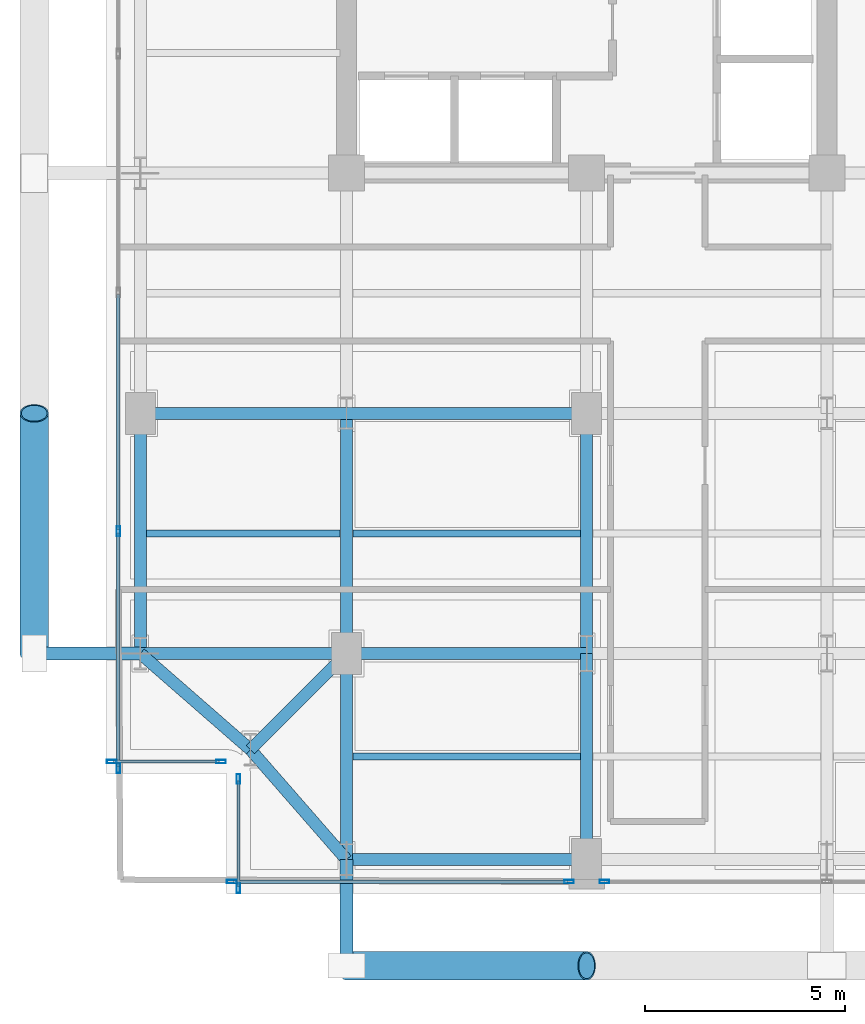
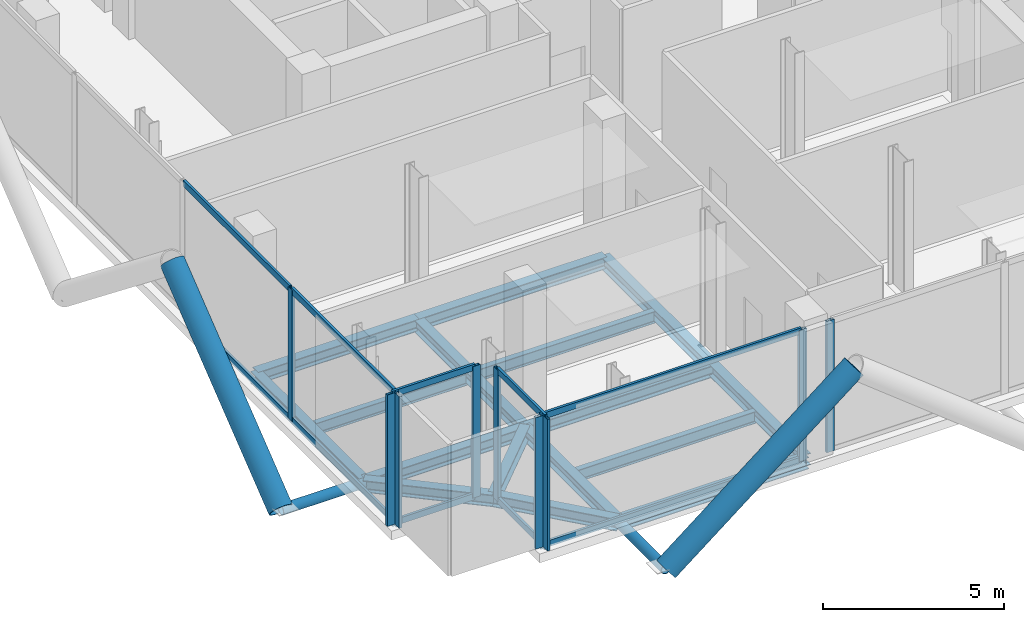
# One storey, part 2 of 19: 23 members, 16 beams, 5 elements without a shape of their own.
"""IFC4 building model written with IfcOpenShell, lengths in metres."""

import ifcopenshell
import ifcopenshell.guid

model = None  # the IFC model being written
_history = None  # IfcOwnerHistory: only IFC2X3 demands one
_inside = {}  # id of a spatial element -> (the spatial element, [elements in it])
_under = {}  # id of a project, library or spatial element -> (it, [spatial elements below it])
_declared = {}  # id of a project -> (the project, [libraries it declares])
_typed = {}  # id of a type object -> (the type object, [elements of that type])
_made_of = {}  # id of a material, layer set ... -> (it, [elements and type objects made of it])


def new_model(schema):
    """Start an empty IFC model of exactly this schema.

    Asked for "IFC4X3", IfcOpenShell would pick the latest addendum, in which some entities
    have other attributes; the version numbers below select the first issue.
    IFC2X3 requires an IfcOwnerHistory on every rooted entity: one is made here for all.
    """
    global model, _history
    if schema == "IFC4X3":
        model = ifcopenshell.file(schema_version=(4, 3, 0, 0))
    else:
        model = ifcopenshell.file(schema=schema)
    _inside.clear()
    _under.clear()
    _declared.clear()
    _typed.clear()
    _made_of.clear()
    _history = None
    if model.schema == "IFC2X3":
        org = make("IfcOrganization", Name="unknown")
        user = make(
            "IfcPersonAndOrganization",
            ThePerson=make("IfcPerson", FamilyName="unknown"),
            TheOrganization=org,
        )
        app = make(
            "IfcApplication",
            ApplicationDeveloper=org,
            Version="unknown",
            ApplicationFullName="unknown",
            ApplicationIdentifier="unknown",
        )
        _history = make(
            "IfcOwnerHistory",
            OwningUser=user,
            OwningApplication=app,
            ChangeAction="ADDED",
            CreationDate=0,
        )
    return model


def make(cls, **values):
    """One entity of the class cls with the attributes given. An attribute that is None is left unset."""
    return model.create_entity(
        cls, **{name: value for name, value in values.items() if value is not None}
    )


def rooted(cls, **values):
    """An entity with a GlobalId (a new one), such as an element, a storey or a relation."""
    return make(cls, GlobalId=ifcopenshell.guid.new(), OwnerHistory=_history, **values)


def si_unit(unit_type, name, prefix=None):
    """IfcSIUnit, for example si_unit("LENGTHUNIT", "METRE", prefix="MILLI")."""
    return make("IfcSIUnit", UnitType=unit_type, Prefix=prefix, Name=name)


def assignment(units):
    """IfcUnitAssignment: the units of a project."""
    return None if units is None else make("IfcUnitAssignment", Units=units)


def point(xyz):
    """IfcCartesianPoint."""
    return None if xyz is None else make("IfcCartesianPoint", Coordinates=xyz)


def direction(xyz):
    """IfcDirection."""
    return None if xyz is None else make("IfcDirection", DirectionRatios=xyz)


def frame(location, z_axis=None, x_axis=None):
    """IfcAxis2Placement3D, a coordinate frame: its origin and axes. An axis left out is left unset."""
    return make(
        "IfcAxis2Placement3D",
        Location=point(location),
        Axis=direction(z_axis),
        RefDirection=direction(x_axis),
    )


def frame_2d(location, x_axis=None):
    """IfcAxis2Placement2D, a coordinate frame in the plane: its origin and x axis."""
    return make(
        "IfcAxis2Placement2D", Location=point(location), RefDirection=direction(x_axis)
    )


def origin():
    """The frame at (0, 0, 0) with its axes left unset."""
    return frame((0.0, 0.0, 0.0))


def origin_2d():
    """The frame at (0, 0) in the plane with its x axis left unset."""
    return frame_2d((0.0, 0.0))


def place(relative_to, where):
    """IfcLocalPlacement: puts the frame where relative to a parent placement (None: the world)."""
    return make(
        "IfcLocalPlacement", PlacementRelTo=relative_to, RelativePlacement=where
    )


def context(
    kind, dimensions, precision=None, world=None, true_north=None, identifier=None
):
    """IfcGeometricRepresentationContext, for example the 3D "Model" context."""
    return make(
        "IfcGeometricRepresentationContext",
        ContextIdentifier=identifier,
        ContextType=kind,
        CoordinateSpaceDimension=dimensions,
        Precision=precision,
        WorldCoordinateSystem=world,
        TrueNorth=true_north,
    )


def subcontext(parent, identifier, kind, view, scale=None):
    """IfcGeometricRepresentationSubContext, for example "Body" below "Model"."""
    return make(
        "IfcGeometricRepresentationSubContext",
        ContextIdentifier=identifier,
        ContextType=kind,
        ParentContext=parent,
        TargetScale=scale,
        TargetView=view,
    )


def project(units=None, contexts=None):
    """IfcProject with its units and contexts."""
    return rooted(
        "IfcProject",
        Name="project",
        RepresentationContexts=contexts,
        UnitsInContext=assignment(units),
    )


def spatial(cls, under=None, at=None, **own):
    """A site, building, storey or space (cls), placed at a placement, below another one or the project."""
    s = rooted(cls, ObjectPlacement=at, **own)
    if under is not None:
        _under.setdefault(under.id(), (under, []))[1].append(s)
    return s


def profile(cls, at=None, kind="AREA", **sizes):
    """A parametric profile (cls). Its sizes go by their IFC names, for example OverallWidth=200.0."""
    return make(cls, ProfileType=kind, Position=at, **sizes)


def hollow_rectangle(**sizes):
    """IfcRectangleHollowProfileDef."""
    return profile("IfcRectangleHollowProfileDef", **sizes)


def hollow_circle(**sizes):
    """IfcCircleHollowProfileDef."""
    return profile("IfcCircleHollowProfileDef", **sizes)


def i_section(**sizes):
    """IfcIShapeProfileDef."""
    return profile("IfcIShapeProfileDef", **sizes)


def extrude(swept, where, along, depth):
    """IfcExtrudedAreaSolid: the profile swept, set in the frame where, extruded along a direction by depth."""
    return make(
        "IfcExtrudedAreaSolid",
        SweptArea=swept,
        Position=where,
        ExtrudedDirection=direction(along),
        Depth=depth,
    )


def shape(context_of_items, identifier, shape_type, items):
    """IfcShapeRepresentation: the items that make up one representation, for example the "Body"."""
    return make(
        "IfcShapeRepresentation",
        ContextOfItems=context_of_items,
        RepresentationIdentifier=identifier,
        RepresentationType=shape_type,
        Items=items,
    )


def material(Name=None, Category=None):
    """IfcMaterial."""
    return make("IfcMaterial", Name=Name, Category=Category)


def layer(
    of_material, thickness, ventilated=None, Name=None, Category=None, Priority=None
):
    """IfcMaterialLayer: one layer of a wall or slab, of a material (None: an air gap)."""
    return make(
        "IfcMaterialLayer",
        Material=of_material,
        LayerThickness=thickness,
        IsVentilated=ventilated,
        Name=Name,
        Category=Category,
        Priority=Priority,
    )


def layer_set(layers, Name=None):
    """IfcMaterialLayerSet."""
    return make("IfcMaterialLayerSet", MaterialLayers=layers, LayerSetName=Name)


def material_profile(
    of_material, cross_section, Name=None, Category=None, Priority=None
):
    """IfcMaterialProfile: a cross section and its material."""
    return make(
        "IfcMaterialProfile",
        Name=Name,
        Material=of_material,
        Profile=cross_section,
        Priority=Priority,
        Category=Category,
    )


def profile_set(profiles, Name=None, composite=None):
    """IfcMaterialProfileSet."""
    return make(
        "IfcMaterialProfileSet",
        Name=Name,
        MaterialProfiles=profiles,
        CompositeProfile=composite,
    )


def made_of(thing, what):
    """Note that an element or type object is made of a material, layer set ...; save() writes the relation."""
    if what is not None:
        _made_of.setdefault(what.id(), (what, []))[1].append(thing)
    return thing


def type_object(cls, material=None, **own):
    """A type object (cls), such as IfcWallType, which elements share."""
    return made_of(rooted(cls, **own), material)


def element(
    cls,
    number,
    at=None,
    inside=None,
    cuts=None,
    type_object=None,
    material=None,
    context=None,
    identifier="Body",
    shape_type=None,
    held_by="IfcProductDefinitionShape",
    body=None,
    shapes=None,
    **own,
):
    """One element of the class cls, such as IfcWall. Its Tag is "e" and its number.

    at: its placement. inside: the storey or other place that contains it. cuts: it is an
    opening in that element (IfcRelVoidsElement). A single representation is given by context,
    identifier, shape_type and body (its items); several are given by shapes. held_by: the class
    of the entity that holds the representations. save() writes the other relations.
    """
    e = rooted(cls, Tag="e%d" % number, ObjectPlacement=at, **own)
    if body is not None:
        shapes = [shape(context, identifier, shape_type, body)]
    if shapes is not None:
        e.Representation = make(held_by, Representations=shapes)
    if inside is not None:
        _inside.setdefault(inside.id(), (inside, []))[1].append(e)
    if cuts is not None:
        rooted(
            "IfcRelVoidsElement", RelatingBuildingElement=cuts, RelatedOpeningElement=e
        )
    if type_object is not None:
        _typed.setdefault(type_object.id(), (type_object, []))[1].append(e)
    return made_of(e, material)


def aggregate(whole, parts):
    """IfcRelAggregates: a whole, such as a stair, and the parts it consists of."""
    return rooted("IfcRelAggregates", RelatingObject=whole, RelatedObjects=parts)


def save(model, path):
    """Write the relations noted so far, then the file.

    IfcRelAggregates (storeys below a building ...), IfcRelContainedInSpatialStructure (elements
    in a storey), IfcRelDefinesByType, IfcRelAssociatesMaterial and IfcRelDeclares: one each for
    every whole, place, type object, material and project.
    """
    for whole, parts in _under.values():
        aggregate(whole, parts)
    for where, things in _inside.values():
        rooted(
            "IfcRelContainedInSpatialStructure",
            RelatedElements=things,
            RelatingStructure=where,
        )
    for kind, things in _typed.values():
        rooted("IfcRelDefinesByType", RelatedObjects=things, RelatingType=kind)
    for what, things in _made_of.values():
        rooted("IfcRelAssociatesMaterial", RelatedObjects=things, RelatingMaterial=what)
    for by, libraries in _declared.values():
        rooted("IfcRelDeclares", RelatingContext=by, RelatedDefinitions=libraries)
    model.write(path)


model = new_model("IFC4")

# Units and contexts
model_context = context("Model", 3, precision=1e-05, world=origin(), true_north=direction((0.0, 1.0)))
body_context = subcontext(model_context, "Body", "Model", "MODEL_VIEW")
ifc_project = project(units=[si_unit("LENGTHUNIT", "METRE"), si_unit("AREAUNIT", "SQUARE_METRE"), si_unit("VOLUMEUNIT", "CUBIC_METRE"), si_unit("PLANEANGLEUNIT", "RADIAN"), si_unit("MASSUNIT", "GRAM", prefix="KILO"), si_unit("THERMODYNAMICTEMPERATUREUNIT", "KELVIN"), si_unit("POWERUNIT", "WATT")], contexts=[model_context])

# Site, building, storey
site_placement = place(None, origin())
site = spatial("IfcSite", under=ifc_project, at=site_placement, CompositionType="ELEMENT")
building_placement = place(site_placement, origin())
building = spatial("IfcBuilding", under=site, at=building_placement, Name="Svarakhadi Broadcast Tower", CompositionType="ELEMENT")
storey_placement = place(building_placement, frame((0.0, 0.0, 204.0)))
storey = spatial("IfcBuildingStorey", under=building, at=storey_placement, Name="L50", CompositionType="ELEMENT", Elevation=204.0)

# Beams
ifc_material_1 = material(Name="Steel S355J2 (IS 2062 E350C)", Category="steel")
ifc_material_profile_1 = material_profile(ifc_material_1, i_section(OverallWidth=0.179931640625, OverallDepth=0.39990234375, WebThickness=0.008544921875, FlangeThickness=0.013427734375, FilletRadius=0.02099609375, at=origin_2d()), Name="NPB 400x180x66")
ifc_profile_set_1 = profile_set([ifc_material_profile_1], Name="Steel S355J2 (IS 2062 E350C)")
beam_type_1 = type_object("IfcBeamType", Name="Beam_NPB400", PredefinedType="BEAM", material=ifc_profile_set_1)
beam_1_placement = place(storey_placement, frame((1.010009765625, 9.0, -0.5), z_axis=(1.0, 0.0, 0.0), x_axis=(0.0, 1.0, 0.0)))
element("IfcBeam", 1, at=beam_1_placement, inside=storey, type_object=beam_type_1, Name="L50 Secondary Composite Beam SB001", PredefinedType="BEAM", context=body_context, shape_type="SweptSolid", body=[
    extrude(i_section(OverallWidth=0.179931640625, OverallDepth=0.39990234375, WebThickness=0.008544921875, FlangeThickness=0.013427734375, FilletRadius=0.02099609375, at=origin_2d()), origin(), (0.0, 0.0, 1.0), 4.830078125),
])
for number, where, z_axis, x_axis, name in (
    (2, (6.159912109375, 3.425048828125, -0.5), (1.0, 0.0, 0.0), (0.0, 1.0, 0.0), "L50 Secondary Composite Beam SB005"),
    (3, (6.159912109375, 9.0, -0.5), (1.0, 0.0, 0.0), (0.0, 1.0, 0.0), "L50 Secondary Composite Beam SB006"),
):
    element("IfcBeam", number, at=place(storey_placement, frame(where, z_axis=z_axis, x_axis=x_axis)), inside=storey, type_object=beam_type_1, Name=name, PredefinedType="BEAM", context=body_context, shape_type="SweptSolid", body=[
        extrude(i_section(OverallWidth=0.179931640625, OverallDepth=0.39990234375, WebThickness=0.008544921875, FlangeThickness=0.013427734375, FilletRadius=0.02099609375, at=origin_2d()), origin(), (0.0, 0.0, 1.0), 5.68017578125),
    ])

# Curtain wall, members
ifc_material_2 = material(Name="Anodised Bronze Aluminium AA 6063-T6", Category="aluminium")
ifc_layer = layer(ifc_material_2, 0.239990234375)
ifc_layer_set = layer_set([ifc_layer], Name="Anodised Bronze Aluminium AA 6063-T6")
curtain_wall_type = type_object("IfcCurtainWallType", Name="CW_Sys_06", PredefinedType="NOTDEFINED", material=ifc_layer_set)
curtain_wall_1_placement = place(storey_placement, origin())
curtain_wall_1 = element("IfcCurtainWall", 4, at=curtain_wall_1_placement, inside=storey, type_object=curtain_wall_type, Name="L50 Unitised Facade Curtain Wall 01", PredefinedType="NOTDEFINED")
ifc_material_profile_2 = material_profile(ifc_material_2, hollow_rectangle(XDim=0.090087890625, YDim=0.239990234375, WallThickness=0.006103515625, at=origin_2d()), Name="ALU MULLION 240x90x6")
ifc_profile_set_2 = profile_set([ifc_material_profile_2], Name="Anodised Bronze Aluminium AA 6063-T6")
member_type_1 = type_object("IfcMemberType", Name="CW_Sys_06_Mul", PredefinedType="MULLION", material=ifc_profile_set_2)
member_1_placement = place(storey_placement, frame((2.864990234375, 3.300048828125, 0.0), z_axis=(0.0, 0.0, 1.0), x_axis=(0.0, -1.0, 0.0)))
member_1 = element("IfcMember", 5, at=member_1_placement, type_object=member_type_1, Name="CW-06 mullion 1", PredefinedType="MULLION", context=body_context, shape_type="SweptSolid", body=[
    extrude(hollow_rectangle(XDim=0.090087890625, YDim=0.239990234375, WallThickness=0.006103515625, at=origin_2d()), origin(), (0.0, 0.0, 1.0), 4.43994140625),
])
member_2_placement = place(storey_placement, frame((0.135009765625, 3.300048828125, 0.0), z_axis=(0.0, 0.0, 1.0), x_axis=(0.0, -1.0, 0.0)))
member_2 = element("IfcMember", 6, at=member_2_placement, type_object=member_type_1, Name="CW-06 mullion 2", PredefinedType="MULLION", context=body_context, shape_type="SweptSolid", body=[
    extrude(hollow_rectangle(XDim=0.090087890625, YDim=0.239990234375, WallThickness=0.006103515625, at=origin_2d()), origin(), (0.0, 0.0, 1.0), 4.43994140625),
])

curtain_wall_2_placement = place(storey_placement, origin())
curtain_wall_2 = element("IfcCurtainWall", 7, at=curtain_wall_2_placement, inside=storey, type_object=curtain_wall_type, Name="L50 Unitised Facade Curtain Wall 02", PredefinedType="NOTDEFINED")
member_3_placement = place(storey_placement, frame((0.300048828125, 3.135009765625, 0.0), z_axis=(0.0, 0.0, 1.0), x_axis=(-1.0, 0.0, 0.0)))
member_3 = element("IfcMember", 8, at=member_3_placement, type_object=member_type_1, Name="CW-06 mullion 1", PredefinedType="MULLION", context=body_context, shape_type="SweptSolid", body=[
    extrude(hollow_rectangle(XDim=0.090087890625, YDim=0.239990234375, WallThickness=0.006103515625, at=origin_2d()), origin(), (0.0, 0.0, 1.0), 4.43994140625),
])
member_4_placement = place(storey_placement, frame((0.300048828125, 9.053955078125, 0.0), z_axis=(0.0, 0.0, 1.0), x_axis=(-1.0, 0.0, 0.0)))
member_4 = element("IfcMember", 9, at=member_4_placement, type_object=member_type_1, Name="CW-06 mullion 2", PredefinedType="MULLION", context=body_context, shape_type="SweptSolid", body=[
    extrude(hollow_rectangle(XDim=0.090087890625, YDim=0.239990234375, WallThickness=0.006103515625, at=origin_2d()), origin(), (0.0, 0.0, 1.0), 4.43994140625),
])

# Curtain wall, member
curtain_wall_3_placement = place(storey_placement, origin())
curtain_wall_3 = element("IfcCurtainWall", 10, at=curtain_wall_3_placement, inside=storey, type_object=curtain_wall_type, Name="L50 South Curtain Wall 14 Bay 4", PredefinedType="NOTDEFINED")
member_5_placement = place(storey_placement, frame((12.43994140625, 0.300048828125, 0.0), z_axis=(0.0, 0.0, 1.0), x_axis=(0.0, -1.0, 0.0)))
member_5 = element("IfcMember", 11, at=member_5_placement, type_object=member_type_1, Name="CW-06 mullion 3", PredefinedType="MULLION", context=body_context, shape_type="SweptSolid", body=[
    extrude(hollow_rectangle(XDim=0.090087890625, YDim=0.239990234375, WallThickness=0.006103515625, at=origin_2d()), origin(), (0.0, 0.0, 1.0), 4.43994140625),
])
aggregate(curtain_wall_3, [member_5])

# Curtain wall, members
curtain_wall_4_placement = place(storey_placement, origin())
curtain_wall_4 = element("IfcCurtainWall", 12, at=curtain_wall_4_placement, inside=storey, type_object=curtain_wall_type, Name="L50 South Curtain Wall 14 Bay 5", PredefinedType="NOTDEFINED")
member_6_placement = place(storey_placement, frame((11.56005859375, 0.300048828125, 0.0), z_axis=(0.0, 0.0, 1.0), x_axis=(0.0, -1.0, 0.0)))
member_6 = element("IfcMember", 13, at=member_6_placement, type_object=member_type_1, Name="CW-06 mullion 1", PredefinedType="MULLION", context=body_context, shape_type="SweptSolid", body=[
    extrude(hollow_rectangle(XDim=0.090087890625, YDim=0.239990234375, WallThickness=0.006103515625, at=origin_2d()), origin(), (0.0, 0.0, 1.0), 4.43994140625),
])
member_7_placement = place(storey_placement, frame((3.135009765625, 0.300048828125, 0.0), z_axis=(0.0, 0.0, 1.0), x_axis=(0.0, -1.0, 0.0)))
member_7 = element("IfcMember", 14, at=member_7_placement, type_object=member_type_1, Name="CW-06 mullion 2", PredefinedType="MULLION", context=body_context, shape_type="SweptSolid", body=[
    extrude(hollow_rectangle(XDim=0.090087890625, YDim=0.239990234375, WallThickness=0.006103515625, at=origin_2d()), origin(), (0.0, 0.0, 1.0), 4.43994140625),
])

curtain_wall_5_placement = place(storey_placement, origin())
curtain_wall_5 = element("IfcCurtainWall", 15, at=curtain_wall_5_placement, inside=storey, type_object=curtain_wall_type, Name="L50 Unitised Facade Curtain Wall 15", PredefinedType="NOTDEFINED")
member_8_placement = place(storey_placement, frame((3.300048828125, 0.135009765625, 0.0), z_axis=(0.0, 0.0, 1.0), x_axis=(-1.0, 0.0, 0.0)))
member_8 = element("IfcMember", 16, at=member_8_placement, type_object=member_type_1, Name="CW-06 mullion 1", PredefinedType="MULLION", context=body_context, shape_type="SweptSolid", body=[
    extrude(hollow_rectangle(XDim=0.090087890625, YDim=0.239990234375, WallThickness=0.006103515625, at=origin_2d()), origin(), (0.0, 0.0, 1.0), 4.43994140625),
])
member_9_placement = place(storey_placement, frame((3.300048828125, 2.864990234375, 0.0), z_axis=(0.0, 0.0, 1.0), x_axis=(-1.0, 0.0, 0.0)))
member_9 = element("IfcMember", 17, at=member_9_placement, type_object=member_type_1, Name="CW-06 mullion 2", PredefinedType="MULLION", context=body_context, shape_type="SweptSolid", body=[
    extrude(hollow_rectangle(XDim=0.090087890625, YDim=0.239990234375, WallThickness=0.006103515625, at=origin_2d()), origin(), (0.0, 0.0, 1.0), 4.43994140625),
])

# Member
ifc_material_profile_3 = material_profile(ifc_material_2, hollow_rectangle(XDim=0.080078125, YDim=0.2099609375, WallThickness=0.0048828125, at=origin_2d()), Name="ALU TRANSOM 210x80x5")
ifc_profile_set_3 = profile_set([ifc_material_profile_3], Name="Anodised Bronze Aluminium AA 6063-T6")
member_type_2 = type_object("IfcMemberType", Name="CW_Sys_06_Trn", PredefinedType="USERDEFINED", material=ifc_profile_set_3)
member_10_placement = place(storey_placement, frame((2.820068359375, 3.300048828125, 0.0400390625), z_axis=(-1.0, 0.0, 0.0), x_axis=(0.0, -1.0, 0.0)))
member_10 = element("IfcMember", 18, at=member_10_placement, type_object=member_type_2, Name="CW-06 transom 1.1", ObjectType="TRANSOM", PredefinedType="USERDEFINED", context=body_context, shape_type="SweptSolid", body=[
    extrude(hollow_rectangle(XDim=0.080078125, YDim=0.2099609375, WallThickness=0.0048828125, at=origin_2d()), origin(), (0.0, 0.0, 1.0), 2.64013671875),
])

member_11_placement = place(storey_placement, frame((2.820068359375, 3.300048828125, 4.39990234375), z_axis=(-1.0, 0.0, 0.0), x_axis=(0.0, -1.0, 0.0)))
member_11 = element("IfcMember", 19, at=member_11_placement, type_object=member_type_2, Name="CW-06 transom 1.2", ObjectType="TRANSOM", PredefinedType="USERDEFINED", context=body_context, shape_type="SweptSolid", body=[
    extrude(hollow_rectangle(XDim=0.080078125, YDim=0.2099609375, WallThickness=0.0048828125, at=origin_2d()), origin(), (0.0, 0.0, 1.0), 2.64013671875),
])

aggregate(curtain_wall_1, [member_1, member_2, member_10, member_11])

member_12_placement = place(storey_placement, frame((0.300048828125, 3.179931640625, 0.0400390625), z_axis=(0.0, 1.0, 0.0), x_axis=(-1.0, 0.0, 0.0)))
member_12 = element("IfcMember", 20, at=member_12_placement, type_object=member_type_2, Name="CW-06 transom 1.1", ObjectType="TRANSOM", PredefinedType="USERDEFINED", context=body_context, shape_type="SweptSolid", body=[
    extrude(hollow_rectangle(XDim=0.080078125, YDim=0.2099609375, WallThickness=0.0048828125, at=origin_2d()), origin(), (0.0, 0.0, 1.0), 5.8291015625),
])

member_13_placement = place(storey_placement, frame((0.300048828125, 3.179931640625, 4.39990234375), z_axis=(0.0, 1.0, 0.0), x_axis=(-1.0, 0.0, 0.0)))
member_13 = element("IfcMember", 21, at=member_13_placement, type_object=member_type_2, Name="CW-06 transom 1.2", ObjectType="TRANSOM", PredefinedType="USERDEFINED", context=body_context, shape_type="SweptSolid", body=[
    extrude(hollow_rectangle(XDim=0.080078125, YDim=0.2099609375, WallThickness=0.0048828125, at=origin_2d()), origin(), (0.0, 0.0, 1.0), 5.8291015625),
])

member_14_placement = place(storey_placement, frame((0.300048828125, 9.09912109375, 0.0400390625), z_axis=(0.0, 1.0, 0.0), x_axis=(-1.0, 0.0, 0.0)))
member_14 = element("IfcMember", 22, at=member_14_placement, type_object=member_type_2, Name="CW-06 transom 2.1", ObjectType="TRANSOM", PredefinedType="USERDEFINED", context=body_context, shape_type="SweptSolid", body=[
    extrude(hollow_rectangle(XDim=0.080078125, YDim=0.2099609375, WallThickness=0.0048828125, at=origin_2d()), origin(), (0.0, 0.0, 1.0), 5.873779296875),
])

member_15_placement = place(storey_placement, frame((0.300048828125, 9.09912109375, 4.39990234375), z_axis=(0.0, 1.0, 0.0), x_axis=(-1.0, 0.0, 0.0)))
member_15 = element("IfcMember", 23, at=member_15_placement, type_object=member_type_2, Name="CW-06 transom 2.2", ObjectType="TRANSOM", PredefinedType="USERDEFINED", context=body_context, shape_type="SweptSolid", body=[
    extrude(hollow_rectangle(XDim=0.080078125, YDim=0.2099609375, WallThickness=0.0048828125, at=origin_2d()), origin(), (0.0, 0.0, 1.0), 5.873779296875),
])

aggregate(curtain_wall_2, [member_3, member_4, member_12, member_13, member_14, member_15])

member_16_placement = place(storey_placement, frame((11.514892578125, 0.300048828125, 0.0400390625), z_axis=(-1.0, 0.0, 0.0), x_axis=(0.0, -1.0, 0.0)))
member_16 = element("IfcMember", 24, at=member_16_placement, type_object=member_type_2, Name="CW-06 transom 1.1", ObjectType="TRANSOM", PredefinedType="USERDEFINED", context=body_context, shape_type="SweptSolid", body=[
    extrude(hollow_rectangle(XDim=0.080078125, YDim=0.2099609375, WallThickness=0.0048828125, at=origin_2d()), origin(), (0.0, 0.0, 1.0), 8.3349609375),
])

member_17_placement = place(storey_placement, frame((11.514892578125, 0.300048828125, 4.39990234375), z_axis=(-1.0, 0.0, 0.0), x_axis=(0.0, -1.0, 0.0)))
member_17 = element("IfcMember", 25, at=member_17_placement, type_object=member_type_2, Name="CW-06 transom 1.2", ObjectType="TRANSOM", PredefinedType="USERDEFINED", context=body_context, shape_type="SweptSolid", body=[
    extrude(hollow_rectangle(XDim=0.080078125, YDim=0.2099609375, WallThickness=0.0048828125, at=origin_2d()), origin(), (0.0, 0.0, 1.0), 8.3349609375),
])

aggregate(curtain_wall_4, [member_6, member_7, member_16, member_17])

member_18_placement = place(storey_placement, frame((3.300048828125, 0.179931640625, 0.0400390625), z_axis=(0.0, 1.0, 0.0), x_axis=(-1.0, 0.0, 0.0)))
member_18 = element("IfcMember", 26, at=member_18_placement, type_object=member_type_2, Name="CW-06 transom 1.1", ObjectType="TRANSOM", PredefinedType="USERDEFINED", context=body_context, shape_type="SweptSolid", body=[
    extrude(hollow_rectangle(XDim=0.080078125, YDim=0.2099609375, WallThickness=0.0048828125, at=origin_2d()), origin(), (0.0, 0.0, 1.0), 2.64013671875),
])

member_19_placement = place(storey_placement, frame((3.300048828125, 0.179931640625, 4.39990234375), z_axis=(0.0, 1.0, 0.0), x_axis=(-1.0, 0.0, 0.0)))
member_19 = element("IfcMember", 27, at=member_19_placement, type_object=member_type_2, Name="CW-06 transom 1.2", ObjectType="TRANSOM", PredefinedType="USERDEFINED", context=body_context, shape_type="SweptSolid", body=[
    extrude(hollow_rectangle(XDim=0.080078125, YDim=0.2099609375, WallThickness=0.0048828125, at=origin_2d()), origin(), (0.0, 0.0, 1.0), 2.64013671875),
])

aggregate(curtain_wall_5, [member_8, member_9, member_18, member_19])

# Members
ifc_material_3 = material(Name="Steel S460ML (IS 2062 E450BR)", Category="steel")
ifc_material_profile_4 = material_profile(ifc_material_3, hollow_circle(Radius=0.35546875, WallThickness=0.034912109375, at=origin_2d()), Name="CHS 711x35")
ifc_profile_set_4 = profile_set([ifc_material_profile_4], Name="Steel S460ML (IS 2062 E450BR)")
member_type_3 = type_object("IfcMemberType", Name="Exo_Brace_CHS711", PredefinedType="BRACE", material=ifc_profile_set_4)
for number, where, z_axis, x_axis, name in (
    (28, (6.0, -1.800048828125, -0.4619140625), (0.784682488402, 0.0, 0.619897888685), (0.0, 1.0, 0.0), "L50 Exposed Bronze Exoskeleton Diagonal S01"),
    (29, (-1.800048828125, 6.0, -0.4619140625), (0.0, 0.784682488402, 0.619897888685), (-1.0, 0.0, 0.0), "L50 Exposed Bronze Exoskeleton Diagonal W06"),
):
    element("IfcMember", number, at=place(storey_placement, frame(where, z_axis=z_axis, x_axis=x_axis)), inside=storey, type_object=member_type_3, Name=name, PredefinedType="BRACE", context=body_context, shape_type="SweptSolid", body=[
        extrude(hollow_circle(Radius=0.35546875, WallThickness=0.034912109375, at=origin_2d()), origin(), (0.0, 0.0, 1.0), 7.646484375),
    ])
ifc_material_profile_5 = material_profile(ifc_material_3, hollow_circle(Radius=0.161865234375, WallThickness=0.01611328125, at=origin_2d()), Name="CHS 323.9x16")
ifc_profile_set_5 = profile_set([ifc_material_profile_5], Name="Steel S460ML (IS 2062 E450BR)")
member_type_4 = type_object("IfcMemberType", Name="Exo_Radial_Strut_Z2", PredefinedType="STRUT", material=ifc_profile_set_5)
for number, where, z_axis, x_axis, name in (
    (30, (6.0, -1.800048828125, -0.4619140625), (0.0, 1.0, 0.0), (-1.0, 0.0, 0.0), "L50 Exoskeleton Radial Tie Strut S01"),
    (31, (-1.800048828125, 6.0, -0.4619140625), (1.0, 0.0, 0.0), (0.0, 1.0, 0.0), "L50 Exoskeleton Radial Tie Strut W04"),
):
    element("IfcMember", number, at=place(storey_placement, frame(where, z_axis=z_axis, x_axis=x_axis)), inside=storey, type_object=member_type_4, Name=name, PredefinedType="STRUT", context=body_context, shape_type="SweptSolid", body=[
        extrude(hollow_circle(Radius=0.161865234375, WallThickness=0.01611328125, at=origin_2d()), origin(), (0.0, 0.0, 1.0), 2.650146484375),
    ])

# Beams
ifc_material_profile_6 = material_profile(ifc_material_1, i_section(OverallWidth=0.300048828125, OverallDepth=0.39990234375, WebThickness=0.013427734375, FlangeThickness=0.02392578125, FilletRadius=0.027099609375, at=origin_2d()), Name="WPB 400x300x155")
ifc_profile_set_6 = profile_set([ifc_material_profile_6], Name="Steel S355J2 (IS 2062 E350C)")
beam_type_2 = type_object("IfcBeamType", Name="Girder_WPB400", PredefinedType="USERDEFINED", material=ifc_profile_set_6)
beam_2_placement = place(storey_placement, frame((3.60009765625, 3.60009765625, -0.5), z_axis=(0.707106781187, 0.707106781187, 0.0), x_axis=(-0.707106781187, 0.707106781187, 0.0)))
element("IfcBeam", 32, at=beam_2_placement, inside=storey, type_object=beam_type_2, Name="L50 Corner Tie Girder G001", ObjectType="GIRDER", PredefinedType="USERDEFINED", context=body_context, shape_type="SweptSolid", body=[
    extrude(i_section(OverallWidth=0.300048828125, OverallDepth=0.39990234375, WebThickness=0.013427734375, FlangeThickness=0.02392578125, FilletRadius=0.027099609375, at=origin_2d()), origin(), (0.0, 0.0, 1.0), 3.39404296875),
])
for number, where, z_axis, x_axis, name in (
    (33, (3.60009765625, 3.60009765625, -0.5), (-0.753437912176, 0.657519058655, 0.0), (-0.657519058655, -0.753437912176, 0.0), "L50 Corner Tie Girder G002"),
    (34, (3.60009765625, 3.60009765625, -0.5), (0.657519058655, -0.753437912176, 0.0), (0.753437912176, 0.657519058655, 0.0), "L50 Corner Tie Girder G003"),
):
    element("IfcBeam", number, at=place(storey_placement, frame(where, z_axis=z_axis, x_axis=x_axis)), inside=storey, type_object=beam_type_2, Name=name, ObjectType="GIRDER", PredefinedType="USERDEFINED", context=body_context, shape_type="SweptSolid", body=[
        extrude(i_section(OverallWidth=0.300048828125, OverallDepth=0.39990234375, WebThickness=0.013427734375, FlangeThickness=0.02392578125, FilletRadius=0.027099609375, at=origin_2d()), origin(), (0.0, 0.0, 1.0), 3.64990234375),
    ])
beam_3_placement = place(storey_placement, frame((6.0, 0.85009765625, -0.5), z_axis=(1.0, 0.0, 0.0), x_axis=(0.0, 1.0, 0.0)))
element("IfcBeam", 35, at=beam_3_placement, inside=storey, type_object=beam_type_2, Name="L50 Primary E-W Girder G004", ObjectType="GIRDER", PredefinedType="USERDEFINED", context=body_context, shape_type="SweptSolid", body=[
    extrude(i_section(OverallWidth=0.300048828125, OverallDepth=0.39990234375, WebThickness=0.013427734375, FlangeThickness=0.02392578125, FilletRadius=0.027099609375, at=origin_2d()), origin(), (0.0, 0.0, 1.0), 6.0),
])
beam_4_placement = place(storey_placement, frame((0.85009765625, 6.0, -0.5), z_axis=(1.0, 0.0, 0.0), x_axis=(0.0, 1.0, 0.0)))
element("IfcBeam", 36, at=beam_4_placement, inside=storey, type_object=beam_type_2, Name="L50 Primary E-W Girder G009", ObjectType="GIRDER", PredefinedType="USERDEFINED", context=body_context, shape_type="SweptSolid", body=[
    extrude(i_section(OverallWidth=0.300048828125, OverallDepth=0.39990234375, WebThickness=0.013427734375, FlangeThickness=0.02392578125, FilletRadius=0.027099609375, at=origin_2d()), origin(), (0.0, 0.0, 1.0), 5.14990234375),
])
beam_5_placement = place(storey_placement, frame((6.0, 6.0, -0.5), z_axis=(1.0, 0.0, 0.0), x_axis=(0.0, 1.0, 0.0)))
element("IfcBeam", 37, at=beam_5_placement, inside=storey, type_object=beam_type_2, Name="L50 Primary E-W Girder G010", ObjectType="GIRDER", PredefinedType="USERDEFINED", context=body_context, shape_type="SweptSolid", body=[
    extrude(i_section(OverallWidth=0.300048828125, OverallDepth=0.39990234375, WebThickness=0.013427734375, FlangeThickness=0.02392578125, FilletRadius=0.027099609375, at=origin_2d()), origin(), (0.0, 0.0, 1.0), 6.0),
])
beam_6_placement = place(storey_placement, frame((0.85009765625, 12.0, -0.5), z_axis=(1.0, 0.0, 0.0), x_axis=(0.0, 1.0, 0.0)))
element("IfcBeam", 38, at=beam_6_placement, inside=storey, type_object=beam_type_2, Name="L50 Primary E-W Girder G015", ObjectType="GIRDER", PredefinedType="USERDEFINED", context=body_context, shape_type="SweptSolid", body=[
    extrude(i_section(OverallWidth=0.300048828125, OverallDepth=0.39990234375, WebThickness=0.013427734375, FlangeThickness=0.02392578125, FilletRadius=0.027099609375, at=origin_2d()), origin(), (0.0, 0.0, 1.0), 5.14990234375),
])
for number, where, z_axis, x_axis, name in (
    (39, (6.0, 12.0, -0.5), (1.0, 0.0, 0.0), (0.0, 1.0, 0.0), "L50 Primary E-W Girder G016"),
    (40, (0.85009765625, 6.0, -0.5), (0.0, 1.0, 0.0), (-1.0, 0.0, 0.0), "L50 Primary N-S Girder G033"),
):
    element("IfcBeam", number, at=place(storey_placement, frame(where, z_axis=z_axis, x_axis=x_axis)), inside=storey, type_object=beam_type_2, Name=name, ObjectType="GIRDER", PredefinedType="USERDEFINED", context=body_context, shape_type="SweptSolid", body=[
        extrude(i_section(OverallWidth=0.300048828125, OverallDepth=0.39990234375, WebThickness=0.013427734375, FlangeThickness=0.02392578125, FilletRadius=0.027099609375, at=origin_2d()), origin(), (0.0, 0.0, 1.0), 6.0),
    ])
beam_7_placement = place(storey_placement, frame((6.0, 0.85009765625, -0.5), z_axis=(0.0, 1.0, 0.0), x_axis=(-1.0, 0.0, 0.0)))
element("IfcBeam", 41, at=beam_7_placement, inside=storey, type_object=beam_type_2, Name="L50 Primary N-S Girder G037", ObjectType="GIRDER", PredefinedType="USERDEFINED", context=body_context, shape_type="SweptSolid", body=[
    extrude(i_section(OverallWidth=0.300048828125, OverallDepth=0.39990234375, WebThickness=0.013427734375, FlangeThickness=0.02392578125, FilletRadius=0.027099609375, at=origin_2d()), origin(), (0.0, 0.0, 1.0), 5.14990234375),
])
beam_8_placement = place(storey_placement, frame((6.0, 6.0, -0.5), z_axis=(0.0, 1.0, 0.0), x_axis=(-1.0, 0.0, 0.0)))
element("IfcBeam", 42, at=beam_8_placement, inside=storey, type_object=beam_type_2, Name="L50 Primary N-S Girder G038", ObjectType="GIRDER", PredefinedType="USERDEFINED", context=body_context, shape_type="SweptSolid", body=[
    extrude(i_section(OverallWidth=0.300048828125, OverallDepth=0.39990234375, WebThickness=0.013427734375, FlangeThickness=0.02392578125, FilletRadius=0.027099609375, at=origin_2d()), origin(), (0.0, 0.0, 1.0), 6.0),
])
beam_9_placement = place(storey_placement, frame((12.0, 0.85009765625, -0.5), z_axis=(0.0, 1.0, 0.0), x_axis=(-1.0, 0.0, 0.0)))
element("IfcBeam", 43, at=beam_9_placement, inside=storey, type_object=beam_type_2, Name="L50 Primary N-S Girder G042", ObjectType="GIRDER", PredefinedType="USERDEFINED", context=body_context, shape_type="SweptSolid", body=[
    extrude(i_section(OverallWidth=0.300048828125, OverallDepth=0.39990234375, WebThickness=0.013427734375, FlangeThickness=0.02392578125, FilletRadius=0.027099609375, at=origin_2d()), origin(), (0.0, 0.0, 1.0), 5.14990234375),
])
beam_10_placement = place(storey_placement, frame((12.0, 6.0, -0.5), z_axis=(0.0, 1.0, 0.0), x_axis=(-1.0, 0.0, 0.0)))
element("IfcBeam", 44, at=beam_10_placement, inside=storey, type_object=beam_type_2, Name="L50 Primary N-S Girder G043", ObjectType="GIRDER", PredefinedType="USERDEFINED", context=body_context, shape_type="SweptSolid", body=[
    extrude(i_section(OverallWidth=0.300048828125, OverallDepth=0.39990234375, WebThickness=0.013427734375, FlangeThickness=0.02392578125, FilletRadius=0.027099609375, at=origin_2d()), origin(), (0.0, 0.0, 1.0), 6.0),
])

save(model, "model.ifc")
